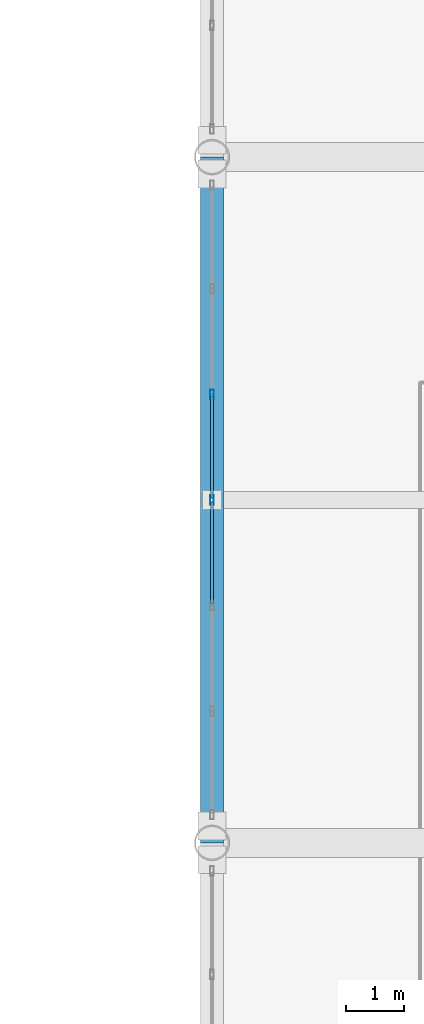
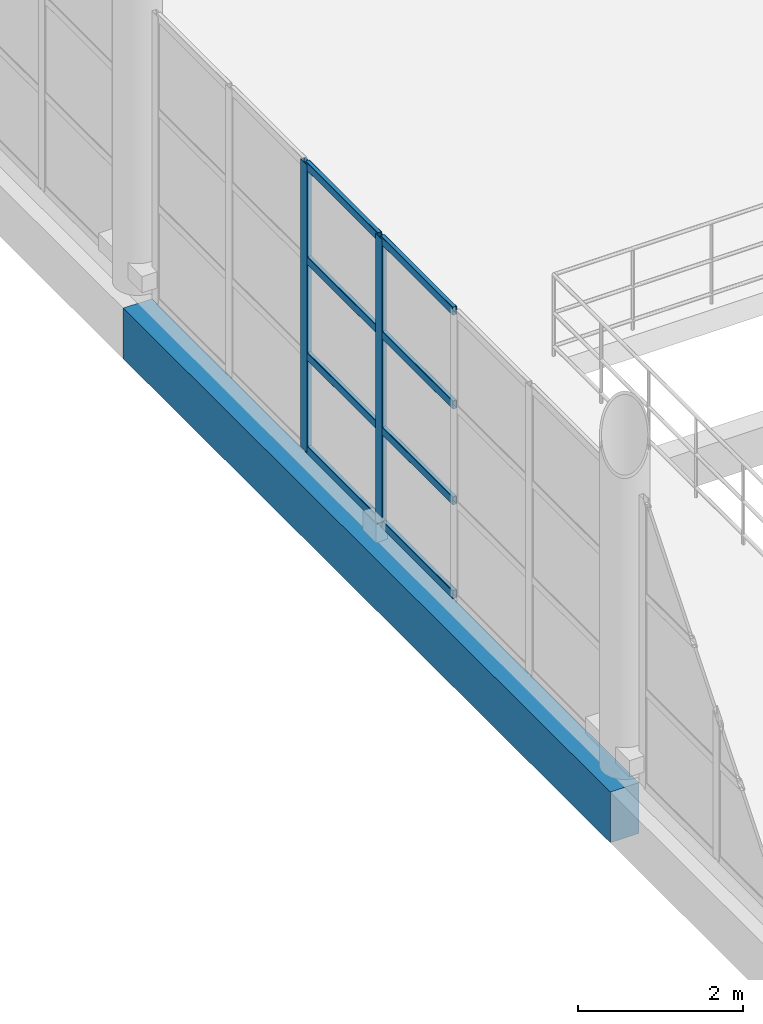
# One storey, part 66 of 175: 10 members, 1 beam, 1 element without a shape of its own.
"""IFC4 building model written with IfcOpenShell, lengths in metres."""

from ifc_helpers import new_model, si_unit, direction, frame, origin, origin_2d, place, context, subcontext, project, spatial, rectangle, hollow_rectangle, extrude, material, material_profile, profile_set, type_object, element, aggregate, save


model = new_model("IFC4")

# Units and contexts
model_context = context("Model", 3, precision=1e-05, world=origin(), true_north=direction((0.0, 1.0)))
body_context = subcontext(model_context, "Body", "Model", "MODEL_VIEW")
ifc_project = project(units=[si_unit("LENGTHUNIT", "METRE"), si_unit("AREAUNIT", "SQUARE_METRE"), si_unit("VOLUMEUNIT", "CUBIC_METRE"), si_unit("PLANEANGLEUNIT", "RADIAN"), si_unit("MASSUNIT", "GRAM", prefix="KILO")], contexts=[model_context])

# Site, building, storey
site_placement = place(None, origin())
site = spatial("IfcSite", under=ifc_project, at=site_placement, CompositionType="ELEMENT")
building_placement = place(site_placement, origin())
building = spatial("IfcBuilding", under=site, at=building_placement, Name="Brelvane Convention Centre", CompositionType="ELEMENT")
storey_placement = place(building_placement, frame((0.0, 0.0, 5.39990234375)))
storey = spatial("IfcBuildingStorey", under=building, at=storey_placement, Name="L01", CompositionType="ELEMENT", Elevation=5.39990234375)

# Curtain wall, members
ifc_material_1 = material(Name="Anodised Aluminium Alloy 6063-T6", Category="aluminium")
curtain_wall_type = type_object("IfcCurtainWallType", Name="Curtain Wall CW-CONC", PredefinedType="USERDEFINED", material=ifc_material_1)
curtain_wall_placement = place(storey_placement, origin())
curtain_wall = element("IfcCurtainWall", 1, at=curtain_wall_placement, inside=storey, type_object=curtain_wall_type, Name="Curtain Wall CW-CONC L01-GAL-ATRIUM-W-3", ObjectType="UNITISED", PredefinedType="USERDEFINED")
ifc_material_2 = material(Name="Anodised Aluminium Alloy 6063-T6", Category="aluminium")
ifc_material_profile_1 = material_profile(ifc_material_2, hollow_rectangle(XDim=0.06494140625, YDim=0.159912109375, WallThickness=0.00390625, InnerFilletRadius=0.00390625, OuterFilletRadius=0.008056640625, at=origin_2d()), Name="ALU-M 160x65x4.0")
ifc_profile_set_1 = profile_set([ifc_material_profile_1], Name="Anodised Aluminium Alloy 6063-T6")
member_type_1 = type_object("IfcMemberType", Name="Curtain Mullion CW-M3", PredefinedType="MULLION", material=ifc_profile_set_1)
member_1_placement = place(storey_placement, frame((142.800048828125, 70.10009765625, 0.0), z_axis=(0.0, 0.0, 1.0), x_axis=(-1.0, 0.0, 0.0)))
member_1 = element("IfcMember", 2, at=member_1_placement, type_object=member_type_1, Name="CW-CONC mullion 4", PredefinedType="MULLION", context=body_context, shape_type="SweptSolid", body=[
    extrude(hollow_rectangle(XDim=0.06494140625, YDim=0.159912109375, WallThickness=0.00390625, InnerFilletRadius=0.00390625, OuterFilletRadius=0.008056640625, at=origin_2d()), origin(), (0.0, 0.0, 1.0), 4.25),
])
member_2_placement = place(storey_placement, frame((142.800048828125, 71.916748046875, 0.0), z_axis=(0.0, 0.0, 1.0), x_axis=(-1.0, 0.0, 0.0)))
member_2 = element("IfcMember", 3, at=member_2_placement, type_object=member_type_1, Name="CW-CONC mullion 5", PredefinedType="MULLION", context=body_context, shape_type="SweptSolid", body=[
    extrude(hollow_rectangle(XDim=0.06494140625, YDim=0.159912109375, WallThickness=0.00390625, InnerFilletRadius=0.00390625, OuterFilletRadius=0.008056640625, at=origin_2d()), origin(), (0.0, 0.0, 1.0), 4.25),
])
ifc_material_3 = material(Name="Anodised Aluminium Alloy 6063-T6", Category="aluminium")
ifc_material_profile_2 = material_profile(ifc_material_3, hollow_rectangle(XDim=0.06005859375, YDim=0.1201171875, WallThickness=0.00390625, InnerFilletRadius=0.00390625, OuterFilletRadius=0.008056640625, at=origin_2d()), Name="ALU-T 120x60x4.0")
ifc_profile_set_2 = profile_set([ifc_material_profile_2], Name="Anodised Aluminium Alloy 6063-T6")
member_type_2 = type_object("IfcMemberType", Name="Curtain Transom CW-T3", PredefinedType="USERDEFINED", material=ifc_profile_set_2)
member_3_placement = place(storey_placement, frame((142.800048828125, 68.31591796875, 0.030029296875), z_axis=(0.0, 1.0, 0.0), x_axis=(-1.0, 0.0, 0.0)))
member_3 = element("IfcMember", 4, at=member_3_placement, type_object=member_type_2, Name="CW-CONC transom 3.1", ObjectType="TRANSOM", PredefinedType="USERDEFINED", context=body_context, shape_type="SweptSolid", body=[
    extrude(hollow_rectangle(XDim=0.06005859375, YDim=0.1201171875, WallThickness=0.00390625, InnerFilletRadius=0.00390625, OuterFilletRadius=0.008056640625, at=origin_2d()), origin(), (0.0, 0.0, 1.0), 1.75146484375),
])
member_4_placement = place(storey_placement, frame((142.800048828125, 68.31591796875, 1.416748046875), z_axis=(0.0, 1.0, 0.0), x_axis=(-1.0, 0.0, 0.0)))
member_4 = element("IfcMember", 5, at=member_4_placement, type_object=member_type_2, Name="CW-CONC transom 3.2", ObjectType="TRANSOM", PredefinedType="USERDEFINED", context=body_context, shape_type="SweptSolid", body=[
    extrude(hollow_rectangle(XDim=0.06005859375, YDim=0.1201171875, WallThickness=0.00390625, InnerFilletRadius=0.00390625, OuterFilletRadius=0.008056640625, at=origin_2d()), origin(), (0.0, 0.0, 1.0), 1.75146484375),
])
member_5_placement = place(storey_placement, frame((142.800048828125, 68.31591796875, 2.83349609375), z_axis=(0.0, 1.0, 0.0), x_axis=(-1.0, 0.0, 0.0)))
member_5 = element("IfcMember", 6, at=member_5_placement, type_object=member_type_2, Name="CW-CONC transom 3.3", ObjectType="TRANSOM", PredefinedType="USERDEFINED", context=body_context, shape_type="SweptSolid", body=[
    extrude(hollow_rectangle(XDim=0.06005859375, YDim=0.1201171875, WallThickness=0.00390625, InnerFilletRadius=0.00390625, OuterFilletRadius=0.008056640625, at=origin_2d()), origin(), (0.0, 0.0, 1.0), 1.75146484375),
])
member_6_placement = place(storey_placement, frame((142.800048828125, 68.31591796875, 4.22021484375), z_axis=(0.0, 1.0, 0.0), x_axis=(-1.0, 0.0, 0.0)))
member_6 = element("IfcMember", 7, at=member_6_placement, type_object=member_type_2, Name="CW-CONC transom 3.4", ObjectType="TRANSOM", PredefinedType="USERDEFINED", context=body_context, shape_type="SweptSolid", body=[
    extrude(hollow_rectangle(XDim=0.06005859375, YDim=0.1201171875, WallThickness=0.00390625, InnerFilletRadius=0.00390625, OuterFilletRadius=0.008056640625, at=origin_2d()), origin(), (0.0, 0.0, 1.0), 1.75146484375),
])
member_7_placement = place(storey_placement, frame((142.800048828125, 70.132568359375, 0.030029296875), z_axis=(0.0, 1.0, 0.0), x_axis=(-1.0, 0.0, 0.0)))
member_7 = element("IfcMember", 8, at=member_7_placement, type_object=member_type_2, Name="CW-CONC transom 4.1", ObjectType="TRANSOM", PredefinedType="USERDEFINED", context=body_context, shape_type="SweptSolid", body=[
    extrude(hollow_rectangle(XDim=0.06005859375, YDim=0.1201171875, WallThickness=0.00390625, InnerFilletRadius=0.00390625, OuterFilletRadius=0.008056640625, at=origin_2d()), origin(), (0.0, 0.0, 1.0), 1.751708984375),
])
member_8_placement = place(storey_placement, frame((142.800048828125, 70.132568359375, 1.416748046875), z_axis=(0.0, 1.0, 0.0), x_axis=(-1.0, 0.0, 0.0)))
member_8 = element("IfcMember", 9, at=member_8_placement, type_object=member_type_2, Name="CW-CONC transom 4.2", ObjectType="TRANSOM", PredefinedType="USERDEFINED", context=body_context, shape_type="SweptSolid", body=[
    extrude(hollow_rectangle(XDim=0.06005859375, YDim=0.1201171875, WallThickness=0.00390625, InnerFilletRadius=0.00390625, OuterFilletRadius=0.008056640625, at=origin_2d()), origin(), (0.0, 0.0, 1.0), 1.751708984375),
])
member_9_placement = place(storey_placement, frame((142.800048828125, 70.132568359375, 2.83349609375), z_axis=(0.0, 1.0, 0.0), x_axis=(-1.0, 0.0, 0.0)))
member_9 = element("IfcMember", 10, at=member_9_placement, type_object=member_type_2, Name="CW-CONC transom 4.3", ObjectType="TRANSOM", PredefinedType="USERDEFINED", context=body_context, shape_type="SweptSolid", body=[
    extrude(hollow_rectangle(XDim=0.06005859375, YDim=0.1201171875, WallThickness=0.00390625, InnerFilletRadius=0.00390625, OuterFilletRadius=0.008056640625, at=origin_2d()), origin(), (0.0, 0.0, 1.0), 1.751708984375),
])
member_10_placement = place(storey_placement, frame((142.800048828125, 70.132568359375, 4.22021484375), z_axis=(0.0, 1.0, 0.0), x_axis=(-1.0, 0.0, 0.0)))
member_10 = element("IfcMember", 11, at=member_10_placement, type_object=member_type_2, Name="CW-CONC transom 4.4", ObjectType="TRANSOM", PredefinedType="USERDEFINED", context=body_context, shape_type="SweptSolid", body=[
    extrude(hollow_rectangle(XDim=0.06005859375, YDim=0.1201171875, WallThickness=0.00390625, InnerFilletRadius=0.00390625, OuterFilletRadius=0.008056640625, at=origin_2d()), origin(), (0.0, 0.0, 1.0), 1.751708984375),
])
aggregate(curtain_wall, [member_1, member_2, member_3, member_4, member_5, member_6, member_7, member_8, member_9, member_10])

# Beam
ifc_material_4 = material(Name="Concrete M40", Category="concrete")
ifc_material_profile_3 = material_profile(ifc_material_4, rectangle(XDim=0.39990234375, YDim=0.75, at=origin_2d()), Name="RC 400x750")
ifc_profile_set_3 = profile_set([ifc_material_profile_3], Name="Concrete M40")
beam_type = type_object("IfcBeamType", Name="RC Spandrel SP-RC1 (RC 400x750)", PredefinedType="SPANDREL", material=ifc_profile_set_3)
beam_placement = place(storey_placement, frame((142.800048828125, 64.199951171875, -0.704833984375), z_axis=(0.0, 1.0, 0.0), x_axis=(-1.0, 0.0, 0.0)))
element("IfcBeam", 12, at=beam_placement, inside=storey, type_object=beam_type, Name="L01 Girder 15/G-H", PredefinedType="SPANDREL", context=body_context, shape_type="SweptSolid", body=[
    extrude(rectangle(XDim=0.39990234375, YDim=0.75, at=origin_2d()), origin(), (0.0, 0.0, 1.0), 11.800048828125),
])

save(model, "model.ifc")
